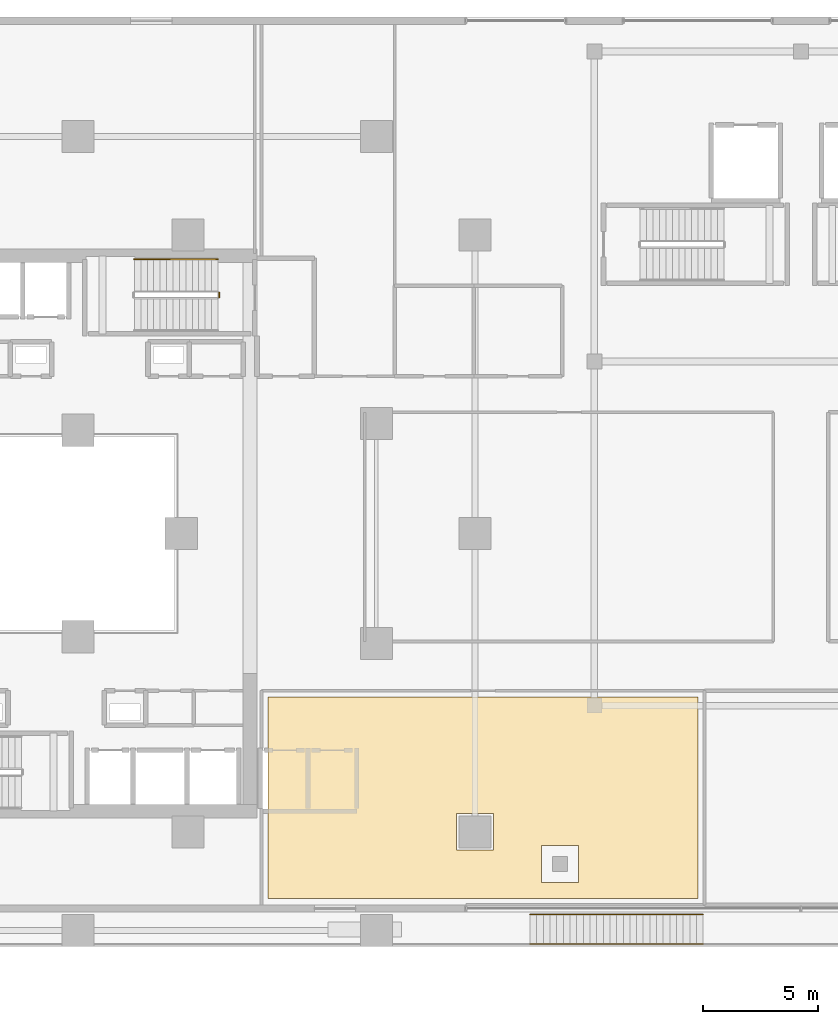
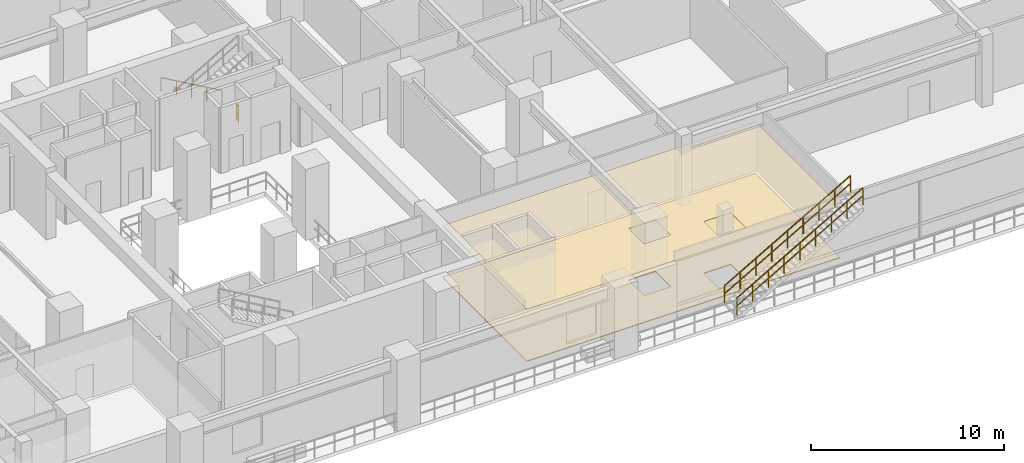
# One storey, part 20 of 22: 4 railings, 2 coverings.
"""IFC4 building model written with IfcOpenShell, lengths in metres."""

from ifc_helpers import new_model, si_unit, direction, frame, origin, origin_2d, place, context, subcontext, project, spatial, polyline, rectangle, outline, extrude, material, layer, layer_set, type_object, element, save


model = new_model("IFC4")

# Units and contexts
model_context = context("Model", 3, precision=1e-05, world=origin(), true_north=direction((0.0, 1.0)))
body_context = subcontext(model_context, "Body", "Model", "MODEL_VIEW")
ifc_project = project(units=[si_unit("LENGTHUNIT", "METRE"), si_unit("AREAUNIT", "SQUARE_METRE"), si_unit("VOLUMEUNIT", "CUBIC_METRE"), si_unit("PLANEANGLEUNIT", "RADIAN"), si_unit("MASSUNIT", "GRAM", prefix="KILO")], contexts=[model_context])

# Site, building, storey
site_placement = place(None, origin())
site = spatial("IfcSite", under=ifc_project, at=site_placement, CompositionType="ELEMENT")
building_placement = place(site_placement, origin())
building = spatial("IfcBuilding", under=site, at=building_placement, Name="Thornwick Lancets Civic Towers", CompositionType="ELEMENT")
storey_placement = place(building_placement, frame((0.0, 0.0, 18.60009765625)))
storey = spatial("IfcBuildingStorey", under=building, at=storey_placement, Name="L04", CompositionType="ELEMENT", Elevation=18.60009765625)

# Coverings
ifc_material_1 = material(Name="Perforated mineral acoustic ceiling tile")
ifc_layer_1 = layer(ifc_material_1, 0.0400390625, Name="Perforated mineral acoustic ceiling tile")
ifc_layer_set_1 = layer_set([ifc_layer_1], Name="Perforated mineral acoustic ceiling tile")
covering_type_1 = type_object("IfcCoveringType", Name="COV_CEIL_ACOUSTIC", PredefinedType="CEILING", material=ifc_layer_set_1)
covering_1_placement = place(storey_placement, frame((0.0, 0.0, 3.27392578125)))
element("IfcCovering", 1, at=covering_1_placement, inside=storey, type_object=covering_type_1, Name="L04 Terrace Reception Foyer Ceiling", PredefinedType="CEILING", context=body_context, shape_type="SweptSolid", body=[
    extrude(outline(polyline([(33.780029296875, 19.8701171875), (52.52001953125, 19.8701171875), (52.52001953125, 11.10009765625), (33.780029296875, 11.10009765625), (33.780029296875, 19.8701171875)]), holes=[polyline([(42.0, 13.199951171875), (43.60009765625, 13.199951171875), (43.60009765625, 14.800048828125), (42.0, 14.800048828125), (42.0, 13.199951171875)]), polyline([(45.699951171875, 11.800048828125), (47.300048828125, 11.800048828125), (47.300048828125, 13.39990234375), (45.699951171875, 13.39990234375), (45.699951171875, 11.800048828125)])]), origin(), (0.0, 0.0, 1.0), 0.0400390625),
])
ifc_material_2 = material(Name="Calcium-sulfate raised access floor panel")
ifc_layer_2 = layer(ifc_material_2, 0.050048828125, Name="Calcium-sulfate raised access floor panel")
ifc_layer_set_2 = layer_set([ifc_layer_2], Name="Calcium-sulfate raised access floor panel")
covering_type_2 = type_object("IfcCoveringType", Name="COV_FLOOR_RAISED", PredefinedType="FLOORING", material=ifc_layer_set_2)
covering_2_placement = place(storey_placement, origin())
element("IfcCovering", 2, at=covering_2_placement, inside=storey, type_object=covering_type_2, Name="L04 Terrace Reception Foyer Raised Access Flooring", PredefinedType="FLOORING", context=body_context, shape_type="SweptSolid", body=[
    extrude(outline(polyline([(33.780029296875, 19.8701171875), (52.52001953125, 19.8701171875), (52.52001953125, 11.10009765625), (33.780029296875, 11.10009765625), (33.780029296875, 19.8701171875)]), holes=[polyline([(42.0, 13.199951171875), (43.60009765625, 13.199951171875), (43.60009765625, 14.800048828125), (42.0, 14.800048828125), (42.0, 13.199951171875)]), polyline([(45.699951171875, 11.800048828125), (47.300048828125, 11.800048828125), (47.300048828125, 13.39990234375), (45.699951171875, 13.39990234375), (45.699951171875, 11.800048828125)])]), origin(), (0.0, 0.0, 1.0), 0.0498046875),
])

# Railings
ifc_material_3 = material(Name="Brushed stainless steel S355", Category="steel")
railing_type_1 = type_object("IfcRailingType", Name="RAIL_HANDRAIL", PredefinedType="HANDRAIL", material=ifc_material_3)
railing_1_placement = place(storey_placement, frame((31.60009765625, 38.949951171875, 0.16064453125)))
element("IfcRailing", 3, at=railing_1_placement, inside=storey, type_object=railing_type_1, Name="L04 ST-A2 stair handrail 1", PredefinedType="HANDRAIL", context=body_context, shape_type="SweptSolid", body=[
    extrude(rectangle(XDim=0.048095703125, YDim=0.048095703125, at=origin_2d()), frame((0.0, 0.0, 0.8857421875), z_axis=(-0.867289372828, 0.0, 0.497804322781), x_axis=(0.0, -1.0, 0.0)), (0.0, 0.0, 1.0), 4.197021484375),
    extrude(rectangle(XDim=0.0419921875, YDim=0.0419921875, at=origin_2d()), origin(), (0.0, 0.0, 1.0), 0.855712890625),
    extrude(rectangle(XDim=0.0419921875, YDim=0.0419921875, at=origin_2d()), frame((-0.91015625, 0.0, 0.5224609375)), (0.0, 0.0, 1.0), 0.855712890625),
    extrude(rectangle(XDim=0.0419921875, YDim=0.0419921875, at=origin_2d()), frame((-1.820068359375, 0.0, 1.044677734375)), (0.0, 0.0, 1.0), 0.855712890625),
    extrude(rectangle(XDim=0.0419921875, YDim=0.0419921875, at=origin_2d()), frame((-2.72998046875, 0.0, 1.56689453125)), (0.0, 0.0, 1.0), 0.855712890625),
    extrude(rectangle(XDim=0.0419921875, YDim=0.0419921875, at=origin_2d()), frame((-3.64013671875, 0.0, 2.08935546875)), (0.0, 0.0, 1.0), 0.855712890625),
])
ifc_material_4 = material(Name="Steel S355JR", Category="steel")
railing_type_2 = type_object("IfcRailingType", Name="RAIL_STAIR_GUARD", PredefinedType="GUARDRAIL", material=ifc_material_4)
railing_2_placement = place(storey_placement, frame((31.64990234375, 37.5, 0.0)))
element("IfcRailing", 4, at=railing_2_placement, inside=storey, type_object=railing_type_2, Name="L04 ST-A2 stair guard 4", PredefinedType="GUARDRAIL", context=body_context, shape_type="SweptSolid", body=[
    extrude(rectangle(XDim=0.048095703125, YDim=0.048095703125, at=origin_2d()), frame((0.0, 0.0, 1.076171875), z_axis=(0.0, -1.0, 0.0), x_axis=(1.0, 0.0, 0.0)), (0.0, 0.0, 1.0), 0.199951171875),
    extrude(rectangle(XDim=0.0419921875, YDim=0.0419921875, at=origin_2d()), frame((0.0, -0.03759765625, 0.572021484375), z_axis=(0.0, -1.0, 0.0), x_axis=(1.0, 0.0, 0.0)), (0.0, 0.0, 1.0), 0.125),
    extrude(rectangle(XDim=0.0419921875, YDim=0.0419921875, at=origin_2d()), origin(), (0.0, 0.0, 1.0), 1.0458984375),
    extrude(rectangle(XDim=0.0419921875, YDim=0.0419921875, at=origin_2d()), frame((0.0, -0.199951171875, 0.0)), (0.0, 0.0, 1.0), 1.0458984375),
])
railing_3_placement = place(storey_placement, frame((45.199951171875, 9.1201171875, 0.16650390625)))
element("IfcRailing", 5, at=railing_3_placement, inside=storey, type_object=railing_type_2, Name="L04 Garden Stair Guard S", PredefinedType="GUARDRAIL", context=body_context, shape_type="SweptSolid", body=[
    extrude(rectangle(XDim=0.048095703125, YDim=0.048095703125, at=origin_2d()), frame((0.0, 0.0, 1.076171875), z_axis=(0.867006973741, 0.0, 0.498296003882), x_axis=(0.0, 1.0, 0.0)), (0.0, 0.0, 1.0), 8.696533203125),
    extrude(rectangle(XDim=0.0419921875, YDim=0.0419921875, at=origin_2d()), frame((0.032470703125, 0.0, 0.5908203125), z_axis=(0.867006973741, 0.0, 0.498296003882), x_axis=(0.0, 1.0, 0.0)), (0.0, 0.0, 1.0), 1.01220703125),
    extrude(rectangle(XDim=0.0419921875, YDim=0.0419921875, at=origin_2d()), frame((0.97509765625, 0.0, 1.13232421875), z_axis=(0.867006973741, 0.0, 0.498296003882), x_axis=(0.0, 1.0, 0.0)), (0.0, 0.0, 1.0), 1.01220703125),
    extrude(rectangle(XDim=0.0419921875, YDim=0.0419921875, at=origin_2d()), frame((1.91748046875, 0.0, 1.674072265625), z_axis=(0.867006973741, 0.0, 0.498296003882), x_axis=(0.0, 1.0, 0.0)), (0.0, 0.0, 1.0), 1.01220703125),
    extrude(rectangle(XDim=0.0419921875, YDim=0.0419921875, at=origin_2d()), frame((2.860107421875, 0.0, 2.2158203125), z_axis=(0.867006973741, 0.0, 0.498296003882), x_axis=(0.0, 1.0, 0.0)), (0.0, 0.0, 1.0), 1.01220703125),
    extrude(rectangle(XDim=0.0419921875, YDim=0.0419921875, at=origin_2d()), frame((3.802490234375, 0.0, 2.757568359375), z_axis=(0.867006973741, 0.0, 0.498296003882), x_axis=(0.0, 1.0, 0.0)), (0.0, 0.0, 1.0), 1.01220703125),
    extrude(rectangle(XDim=0.0419921875, YDim=0.0419921875, at=origin_2d()), frame((4.7451171875, 0.0, 3.299072265625), z_axis=(0.867006973741, 0.0, 0.498296003882), x_axis=(0.0, 1.0, 0.0)), (0.0, 0.0, 1.0), 1.01220703125),
    extrude(rectangle(XDim=0.0419921875, YDim=0.0419921875, at=origin_2d()), frame((5.6875, 0.0, 3.8408203125), z_axis=(0.867006973741, 0.0, 0.498296003882), x_axis=(0.0, 1.0, 0.0)), (0.0, 0.0, 1.0), 1.01220703125),
    extrude(rectangle(XDim=0.0419921875, YDim=0.0419921875, at=origin_2d()), frame((6.630126953125, 0.0, 4.382568359375), z_axis=(0.867006973741, 0.0, 0.498296003882), x_axis=(0.0, 1.0, 0.0)), (0.0, 0.0, 1.0), 1.01220703125),
    extrude(rectangle(XDim=0.0419921875, YDim=0.0419921875, at=origin_2d()), origin(), (0.0, 0.0, 1.0), 1.0458984375),
    extrude(rectangle(XDim=0.0419921875, YDim=0.0419921875, at=origin_2d()), frame((0.9423828125, 0.0, 0.541748046875)), (0.0, 0.0, 1.0), 1.0458984375),
    extrude(rectangle(XDim=0.0419921875, YDim=0.0419921875, at=origin_2d()), frame((1.885009765625, 0.0, 1.08349609375)), (0.0, 0.0, 1.0), 1.0458984375),
    extrude(rectangle(XDim=0.0419921875, YDim=0.0419921875, at=origin_2d()), frame((2.82763671875, 0.0, 1.625)), (0.0, 0.0, 1.0), 1.0458984375),
    extrude(rectangle(XDim=0.0419921875, YDim=0.0419921875, at=origin_2d()), frame((3.77001953125, 0.0, 2.166748046875)), (0.0, 0.0, 1.0), 1.0458984375),
    extrude(rectangle(XDim=0.0419921875, YDim=0.0419921875, at=origin_2d()), frame((4.71240234375, 0.0, 2.70849609375)), (0.0, 0.0, 1.0), 1.0458984375),
    extrude(rectangle(XDim=0.0419921875, YDim=0.0419921875, at=origin_2d()), frame((5.655029296875, 0.0, 3.25)), (0.0, 0.0, 1.0), 1.0458984375),
    extrude(rectangle(XDim=0.0419921875, YDim=0.0419921875, at=origin_2d()), frame((6.59765625, 0.0, 3.791748046875)), (0.0, 0.0, 1.0), 1.0458984375),
    extrude(rectangle(XDim=0.0419921875, YDim=0.0419921875, at=origin_2d()), frame((7.5400390625, 0.0, 4.33349609375)), (0.0, 0.0, 1.0), 1.0458984375),
])
railing_4_placement = place(storey_placement, frame((45.199951171875, 10.39990234375, 0.16650390625)))
element("IfcRailing", 6, at=railing_4_placement, inside=storey, type_object=railing_type_2, Name="L04 Garden Stair Guard N", PredefinedType="GUARDRAIL", context=body_context, shape_type="SweptSolid", body=[
    extrude(rectangle(XDim=0.048095703125, YDim=0.048095703125, at=origin_2d()), frame((0.0, 0.0, 1.076171875), z_axis=(0.867006973741, 0.0, 0.498296003882), x_axis=(0.0, 1.0, 0.0)), (0.0, 0.0, 1.0), 8.696533203125),
    extrude(rectangle(XDim=0.0419921875, YDim=0.0419921875, at=origin_2d()), frame((0.032470703125, 0.0, 0.5908203125), z_axis=(0.867006973741, 0.0, 0.498296003882), x_axis=(0.0, 1.0, 0.0)), (0.0, 0.0, 1.0), 1.01220703125),
    extrude(rectangle(XDim=0.0419921875, YDim=0.0419921875, at=origin_2d()), frame((0.97509765625, 0.0, 1.13232421875), z_axis=(0.867006973741, 0.0, 0.498296003882), x_axis=(0.0, 1.0, 0.0)), (0.0, 0.0, 1.0), 1.01220703125),
    extrude(rectangle(XDim=0.0419921875, YDim=0.0419921875, at=origin_2d()), frame((1.91748046875, 0.0, 1.674072265625), z_axis=(0.867006973741, 0.0, 0.498296003882), x_axis=(0.0, 1.0, 0.0)), (0.0, 0.0, 1.0), 1.01220703125),
    extrude(rectangle(XDim=0.0419921875, YDim=0.0419921875, at=origin_2d()), frame((2.860107421875, 0.0, 2.2158203125), z_axis=(0.867006973741, 0.0, 0.498296003882), x_axis=(0.0, 1.0, 0.0)), (0.0, 0.0, 1.0), 1.01220703125),
    extrude(rectangle(XDim=0.0419921875, YDim=0.0419921875, at=origin_2d()), frame((3.802490234375, 0.0, 2.757568359375), z_axis=(0.867006973741, 0.0, 0.498296003882), x_axis=(0.0, 1.0, 0.0)), (0.0, 0.0, 1.0), 1.01220703125),
    extrude(rectangle(XDim=0.0419921875, YDim=0.0419921875, at=origin_2d()), frame((4.7451171875, 0.0, 3.299072265625), z_axis=(0.867006973741, 0.0, 0.498296003882), x_axis=(0.0, 1.0, 0.0)), (0.0, 0.0, 1.0), 1.01220703125),
    extrude(rectangle(XDim=0.0419921875, YDim=0.0419921875, at=origin_2d()), frame((5.6875, 0.0, 3.8408203125), z_axis=(0.867006973741, 0.0, 0.498296003882), x_axis=(0.0, 1.0, 0.0)), (0.0, 0.0, 1.0), 1.01220703125),
    extrude(rectangle(XDim=0.0419921875, YDim=0.0419921875, at=origin_2d()), frame((6.630126953125, 0.0, 4.382568359375), z_axis=(0.867006973741, 0.0, 0.498296003882), x_axis=(0.0, 1.0, 0.0)), (0.0, 0.0, 1.0), 1.01220703125),
    extrude(rectangle(XDim=0.0419921875, YDim=0.0419921875, at=origin_2d()), origin(), (0.0, 0.0, 1.0), 1.0458984375),
    extrude(rectangle(XDim=0.0419921875, YDim=0.0419921875, at=origin_2d()), frame((0.9423828125, 0.0, 0.541748046875)), (0.0, 0.0, 1.0), 1.0458984375),
    extrude(rectangle(XDim=0.0419921875, YDim=0.0419921875, at=origin_2d()), frame((1.885009765625, 0.0, 1.08349609375)), (0.0, 0.0, 1.0), 1.0458984375),
    extrude(rectangle(XDim=0.0419921875, YDim=0.0419921875, at=origin_2d()), frame((2.82763671875, 0.0, 1.625)), (0.0, 0.0, 1.0), 1.0458984375),
    extrude(rectangle(XDim=0.0419921875, YDim=0.0419921875, at=origin_2d()), frame((3.77001953125, 0.0, 2.166748046875)), (0.0, 0.0, 1.0), 1.0458984375),
    extrude(rectangle(XDim=0.0419921875, YDim=0.0419921875, at=origin_2d()), frame((4.71240234375, 0.0, 2.70849609375)), (0.0, 0.0, 1.0), 1.0458984375),
    extrude(rectangle(XDim=0.0419921875, YDim=0.0419921875, at=origin_2d()), frame((5.655029296875, 0.0, 3.25)), (0.0, 0.0, 1.0), 1.0458984375),
    extrude(rectangle(XDim=0.0419921875, YDim=0.0419921875, at=origin_2d()), frame((6.59765625, 0.0, 3.791748046875)), (0.0, 0.0, 1.0), 1.0458984375),
    extrude(rectangle(XDim=0.0419921875, YDim=0.0419921875, at=origin_2d()), frame((7.5400390625, 0.0, 4.33349609375)), (0.0, 0.0, 1.0), 1.0458984375),
])

save(model, "model.ifc")
